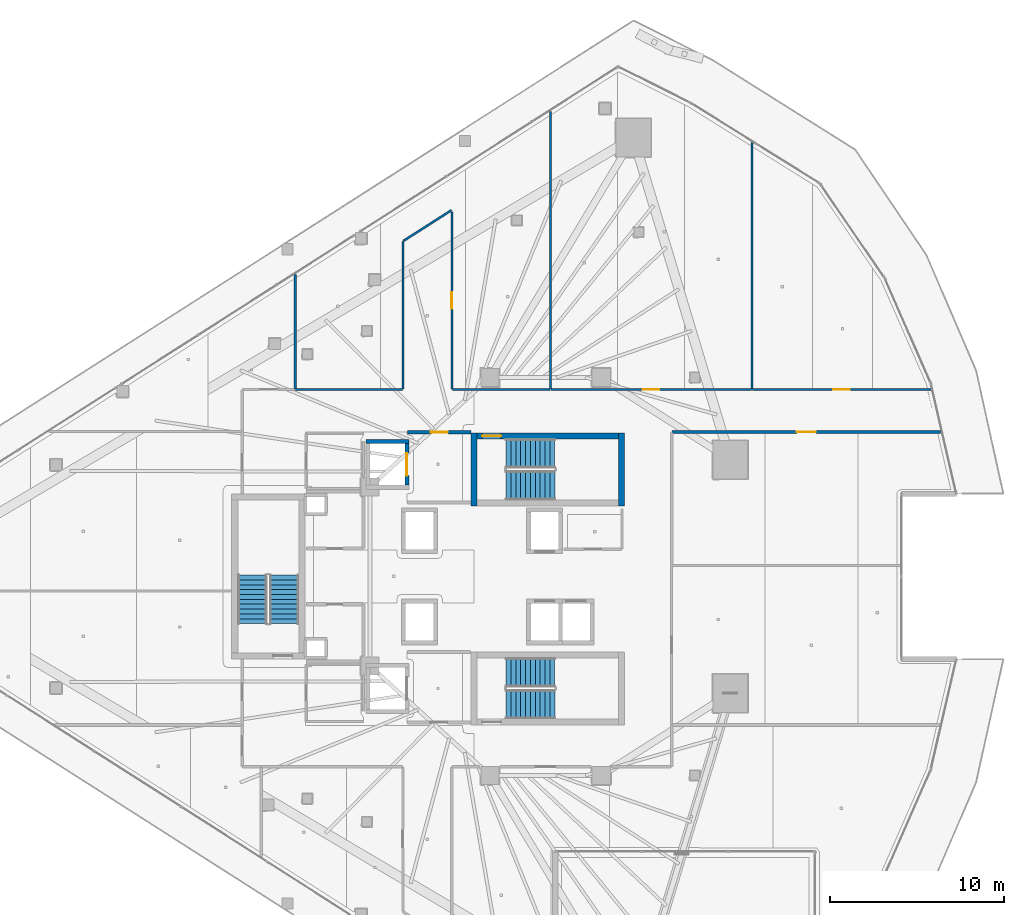
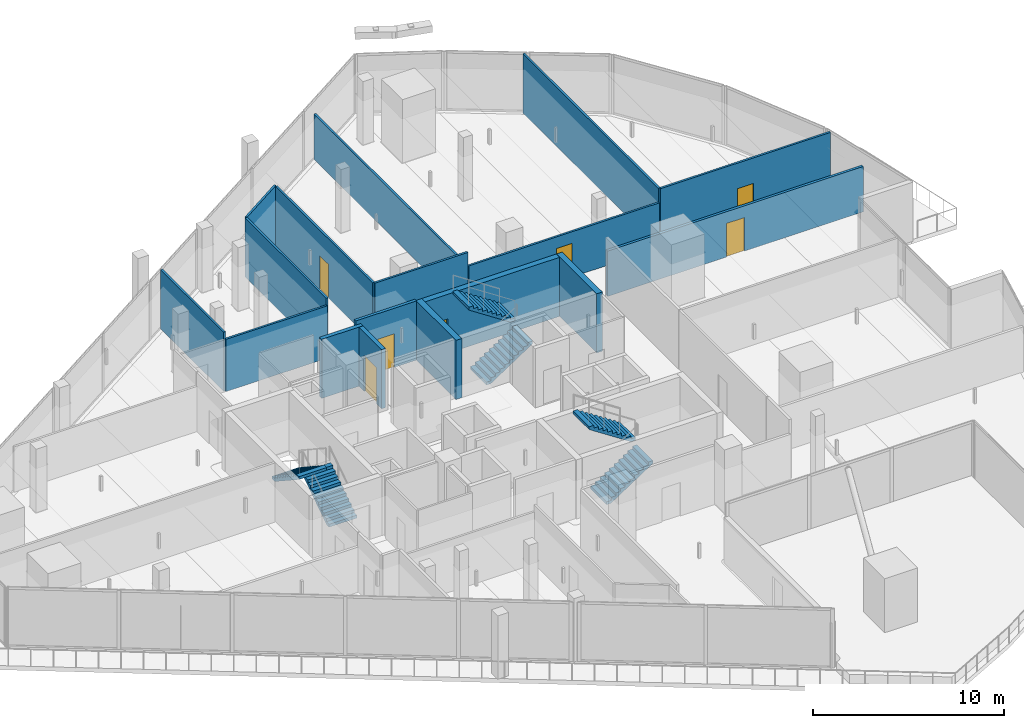
# One storey, part 28 of 38: 17 walls, 7 doors, 6 stair flights, 7 openings, 3 elements without a shape of their own.
"""IFC4 building model written with IfcOpenShell, lengths in metres."""

from ifc_helpers import new_model, si_unit, direction, frame, frame_2d, origin, place, context, subcontext, project, spatial, polyline, rectangle, outline, extrude, material, layer, layer_set, type_object, element, fill, aggregate, save


model = new_model("IFC4")

# Units and contexts
model_context = context("Model", 3, precision=1e-05, world=origin(), true_north=direction((0.0, 1.0)))
body_context = subcontext(model_context, "Body", "Model", "MODEL_VIEW")
ifc_project = project(units=[si_unit("LENGTHUNIT", "METRE"), si_unit("AREAUNIT", "SQUARE_METRE"), si_unit("VOLUMEUNIT", "CUBIC_METRE"), si_unit("PLANEANGLEUNIT", "RADIAN"), si_unit("MASSUNIT", "GRAM", prefix="KILO")], contexts=[model_context])

# Site, building, storey
site_placement = place(None, origin())
site = spatial("IfcSite", under=ifc_project, at=site_placement, CompositionType="ELEMENT")
building_placement = place(site_placement, origin())
building = spatial("IfcBuilding", under=site, at=building_placement, Name="Qorvath Tower", CompositionType="ELEMENT")
storey_placement = place(building_placement, frame((0.0, 0.0, 158.39990234375)))
storey = spatial("IfcBuildingStorey", under=building, at=storey_placement, Name="L36", CompositionType="ELEMENT", Elevation=158.39990234375)

# Wall, opening, door
ifc_material_1 = material(Name="Gypsum shaftliner on steel studs", Category="steel")
ifc_layer_1 = layer(ifc_material_1, 0.179931640625)
ifc_layer_set_1 = layer_set([ifc_layer_1], Name="FW-LOBBY")
wall_type_1 = type_object("IfcWallType", Name="FW-LOBBY", PredefinedType="PARTITIONING", material=ifc_layer_set_1)
wall_1_placement = place(storey_placement, frame((-24.68408203125, 8.300048828125, 0.0), z_axis=(0.0, 0.0, 1.0), x_axis=(-1.0, 0.0, 0.0)))
wall_1 = element("IfcWall", 1, at=wall_1_placement, inside=storey, type_object=wall_type_1, Name="Interior Partition IW-T1-L36-002", PredefinedType="PARTITIONING", context=body_context, shape_type="SweptSolid", body=[
    extrude(rectangle(XDim=3.6708984375, YDim=0.179931640625, at=frame_2d((1.83544921875, 0.0))), origin(), (0.0, 0.0, 1.0), 3.780029296875),
])
opening_1_placement = place(wall_1_placement, frame((1.33544921875, 0.0, 0.0)))
opening_1 = element("IfcOpeningElement", 2, at=opening_1_placement, cuts=wall_1, Name="Opening D-T1-L36-17", PredefinedType="OPENING", context=body_context, shape_type="SweptSolid", body=[
    extrude(rectangle(XDim=1.0, YDim=2.14990234375, at=frame_2d((0.5, 1.074951171875))), frame((0.0, 0.10009765625, 0.0), z_axis=(0.0, -1.0, 0.0), x_axis=(1.0, 0.0, 0.0)), (0.0, 0.0, 1.0), 0.199951171875),
])
ifc_material_2 = material(Name="Painted galvanised hollow metal", Category="steel")
door_type_1 = type_object("IfcDoorType", Name="FD-60", OperationType="NOTDEFINED", PredefinedType="DOOR", material=ifc_material_2)
door_1_placement = place(opening_1_placement, origin())
door_1 = element("IfcDoor", 3, at=door_1_placement, inside=storey, type_object=door_type_1, Name="Lobby Fire Service Elevator North Door D-T1-L36-17", OperationType="SINGLE_SWING_RIGHT", OverallHeight=2.14990234375, OverallWidth=1.0, PredefinedType="DOOR", context=body_context, shape_type="SweptSolid", body=[
    extrude(rectangle(XDim=1.0, YDim=2.14990234375, at=frame_2d((0.5, 1.074951171875))), frame((0.0, 0.02490234375, 0.0), z_axis=(0.0, -1.0, 0.0), x_axis=(1.0, 0.0, 0.0)), (0.0, 0.0, 1.0), 0.050048828125),
])
fill(opening_1, door_1)

ifc_material_3 = material(Name="Double acoustic gypsum board on steel studs", Category="steel")
ifc_layer_2 = layer(ifc_material_3, 0.159912109375)
ifc_layer_set_2 = layer_set([ifc_layer_2], Name="IW-ACOUSTIC-160")
wall_type_2 = type_object("IfcWallType", Name="IW-ACOUSTIC-160", PredefinedType="PARTITIONING", material=ifc_layer_set_2)
wall_2_placement = place(storey_placement, frame((2.341064453125, 8.31201171875, 0.0), z_axis=(0.0, 0.0, 1.0), x_axis=(-1.0, 0.0, 0.0)))
wall_2 = element("IfcWall", 4, at=wall_2_placement, inside=storey, type_object=wall_type_2, Name="Interior Partition IW-T1-L36-050", PredefinedType="PARTITIONING", context=body_context, shape_type="SweptSolid", body=[
    extrude(rectangle(XDim=15.458251953125, YDim=0.159912109375, at=frame_2d((7.72900390625, 0.0))), origin(), (0.0, 0.0, 1.0), 2.89501953125),
])
opening_2_placement = place(wall_2_placement, frame((7.17919921875, 0.0, 0.0)))
opening_2 = element("IfcOpeningElement", 5, at=opening_2_placement, cuts=wall_2, Name="Opening D-T1-L36-14", PredefinedType="OPENING", context=body_context, shape_type="SweptSolid", body=[
    extrude(rectangle(XDim=1.10009765625, YDim=2.14990234375, at=frame_2d((0.550048828125, 1.074951171875))), frame((0.0, 0.08984375, 0.0), z_axis=(0.0, -1.0, 0.0), x_axis=(1.0, 0.0, 0.0)), (0.0, 0.0, 1.0), 0.179931640625),
])
ifc_material_4 = material(Name="Anodised aluminium acoustic framed glass", Category="aluminium")
door_type_2 = type_object("IfcDoorType", Name="D-03", OperationType="NOTDEFINED", PredefinedType="DOOR", material=ifc_material_4)
door_2_placement = place(opening_2_placement, origin())
door_2 = element("IfcDoor", 6, at=door_2_placement, inside=storey, type_object=door_type_2, Name="L36-09 Enclosed Conference Suite Door D-T1-L36-14", OperationType="SINGLE_SWING_LEFT", OverallHeight=2.14990234375, OverallWidth=1.10009765625, PredefinedType="DOOR", context=body_context, shape_type="SweptSolid", body=[
    extrude(rectangle(XDim=1.10009765625, YDim=2.14990234375, at=frame_2d((0.550048828125, 1.074951171875))), frame((0.0, 0.02490234375, 0.0), z_axis=(0.0, -1.0, 0.0), x_axis=(1.0, 0.0, 0.0)), (0.0, 0.0, 1.0), 0.050048828125),
])
fill(opening_2, door_2)

# Walls
ifc_material_5 = material(Name="Gypsum board on metal studs with mineral wool", Category="gypsum")
ifc_layer_3 = layer(ifc_material_5, 0.125)
ifc_layer_set_3 = layer_set([ifc_layer_3], Name="IW-PART-125")
wall_type_3 = type_object("IfcWallType", Name="IW-PART-125", PredefinedType="PARTITIONING", material=ifc_layer_set_3)
wall_3_placement = place(storey_placement, frame((-34.809326171875, 10.783203125, 0.0), z_axis=(0.0, 0.0, 1.0), x_axis=(0.0, 1.0, 0.0)))
element("IfcWall", 7, at=wall_3_placement, inside=storey, type_object=wall_type_3, Name="Interior Partition IW-T1-L36-024", PredefinedType="PARTITIONING", context=body_context, shape_type="SweptSolid", body=[
    extrude(rectangle(XDim=6.591552734375, YDim=0.125, at=frame_2d((3.2958984375, 0.0))), origin(), (0.0, 0.0, 1.0), 3.780029296875),
])
wall_4_placement = place(storey_placement, frame((-34.7763671875, 10.758056640625, 0.0), z_axis=(0.0, 0.0, 1.0), x_axis=(1.0, 0.0, 0.0)))
element("IfcWall", 8, at=wall_4_placement, inside=storey, type_object=wall_type_3, Name="Interior Partition IW-T1-L36-025", PredefinedType="PARTITIONING", context=body_context, shape_type="SweptSolid", body=[
    extrude(rectangle(XDim=6.1435546875, YDim=0.125, at=frame_2d((3.07177734375, 0.0))), origin(), (0.0, 0.0, 1.0), 3.34375),
])
wall_5_placement = place(storey_placement, frame((-28.60791015625, 19.2666015625, 0.0), z_axis=(0.0, 0.0, 1.0), x_axis=(0.0, -1.0, 0.0)))
element("IfcWall", 9, at=wall_5_placement, inside=storey, type_object=wall_type_3, Name="Interior Partition IW-T1-L36-026", PredefinedType="PARTITIONING", context=body_context, shape_type="SweptSolid", body=[
    extrude(rectangle(XDim=8.4833984375, YDim=0.125, at=frame_2d((4.24169921875, 0.0))), origin(), (0.0, 0.0, 1.0), 3.780029296875),
])
wall_6_placement = place(storey_placement, frame((-25.81298828125, 21.077880859375, 0.0), z_axis=(0.0, 0.0, 1.0), x_axis=(-0.842597176941, -0.538544331891, 0.0)))
element("IfcWall", 10, at=wall_6_placement, inside=storey, type_object=wall_type_3, Name="Interior Partition IW-T1-L36-027", PredefinedType="PARTITIONING", context=body_context, shape_type="SweptSolid", body=[
    extrude(rectangle(XDim=3.2919921875, YDim=0.125, at=frame_2d((1.64599609375, 0.0))), origin(), (0.0, 0.0, 1.0), 3.780029296875),
])

# Wall, opening, door
wall_7_placement = place(storey_placement, frame((-25.7919921875, 10.783203125, 0.0), z_axis=(0.0, 0.0, 1.0), x_axis=(0.0, 1.0, 0.0)))
wall_7 = element("IfcWall", 11, at=wall_7_placement, inside=storey, type_object=wall_type_3, Name="Interior Partition IW-T1-L36-028", PredefinedType="PARTITIONING", context=body_context, shape_type="SweptSolid", body=[
    extrude(rectangle(XDim=10.18212890625, YDim=0.125, at=frame_2d((5.091064453125, 0.0))), origin(), (0.0, 0.0, 1.0), 3.780029296875),
])
opening_3_placement = place(wall_7_placement, frame((4.615966796875, 0.0, 0.0)))
opening_3 = element("IfcOpeningElement", 12, at=opening_3_placement, cuts=wall_7, Name="Opening D-T1-L36-07", PredefinedType="OPENING", context=body_context, shape_type="SweptSolid", body=[
    extrude(rectangle(XDim=0.949951171875, YDim=2.14990234375, at=frame_2d((0.47509765625, 1.074951171875))), frame((0.0, 0.072509765625, 0.0), z_axis=(0.0, -1.0, 0.0), x_axis=(1.0, 0.0, 0.0)), (0.0, 0.0, 1.0), 0.14501953125),
])
ifc_material_6 = material(Name="Solid-core American white oak veneer", Category="wood")
door_type_3 = type_object("IfcDoorType", Name="D-01", OperationType="NOTDEFINED", PredefinedType="DOOR", material=ifc_material_6)
door_3_placement = place(opening_3_placement, origin())
door_3 = element("IfcDoor", 13, at=door_3_placement, inside=storey, type_object=door_type_3, Name="L36-02 Design Pin-Up Atelier Door D-T1-L36-07", OperationType="SINGLE_SWING_RIGHT", OverallHeight=2.14990234375, OverallWidth=0.949951171875, PredefinedType="DOOR", context=body_context, shape_type="SweptSolid", body=[
    extrude(rectangle(XDim=0.949951171875, YDim=2.14990234375, at=frame_2d((0.47509765625, 1.074951171875))), frame((0.0, 0.02490234375, 0.0), z_axis=(0.0, -1.0, 0.0), x_axis=(1.0, 0.0, 0.0)), (0.0, 0.0, 1.0), 0.050048828125),
])
fill(opening_3, door_3)

# Walls
wall_8_placement = place(storey_placement, frame((-25.76708984375, 10.758056640625, 0.0), z_axis=(0.0, 0.0, 1.0), x_axis=(1.0, 0.0, 0.0)))
element("IfcWall", 14, at=wall_8_placement, inside=storey, type_object=wall_type_3, Name="Interior Partition IW-T1-L36-029", PredefinedType="PARTITIONING", context=body_context, shape_type="SweptSolid", body=[
    extrude(rectangle(XDim=5.623291015625, YDim=0.125, at=frame_2d((2.8115234375, 0.0))), origin(), (0.0, 0.0, 1.0), 3.780029296875),
])
wall_9_placement = place(storey_placement, frame((-20.11865234375, 10.783203125, 0.0), z_axis=(0.0, 0.0, 1.0), x_axis=(0.0, 1.0, 0.0)))
element("IfcWall", 15, at=wall_9_placement, inside=storey, type_object=wall_type_3, Name="Interior Partition IW-T1-L36-030", PredefinedType="PARTITIONING", context=body_context, shape_type="SweptSolid", body=[
    extrude(rectangle(XDim=15.98095703125, YDim=0.125, at=frame_2d((7.990478515625, 0.0))), origin(), (0.0, 0.0, 1.0), 2.89501953125),
])

# Wall, opening, door
wall_10_placement = place(storey_placement, frame((-20.085693359375, 10.758056640625, 0.0), z_axis=(0.0, 0.0, 1.0), x_axis=(1.0, 0.0, 0.0)))
wall_10 = element("IfcWall", 16, at=wall_10_placement, inside=storey, type_object=wall_type_3, Name="Interior Partition IW-T1-L36-031", PredefinedType="PARTITIONING", context=body_context, shape_type="SweptSolid", body=[
    extrude(rectangle(XDim=11.53369140625, YDim=0.125, at=frame_2d((5.766845703125, 0.0))), origin(), (0.0, 0.0, 1.0), 2.89501953125),
])
opening_4_placement = place(wall_10_placement, frame((5.291748046875, 0.0, 0.0)))
opening_4 = element("IfcOpeningElement", 17, at=opening_4_placement, cuts=wall_10, Name="Opening D-T1-L36-08", PredefinedType="OPENING", context=body_context, shape_type="SweptSolid", body=[
    extrude(rectangle(XDim=0.949951171875, YDim=2.14990234375, at=frame_2d((0.47509765625, 1.074951171875))), frame((0.0, 0.072509765625, 0.0), z_axis=(0.0, -1.0, 0.0), x_axis=(1.0, 0.0, 0.0)), (0.0, 0.0, 1.0), 0.14501953125),
])
door_4_placement = place(opening_4_placement, origin())
door_4 = element("IfcDoor", 18, at=door_4_placement, inside=storey, type_object=door_type_3, Name="L36-03 Executive Partner Office Door D-T1-L36-08", OperationType="SINGLE_SWING_LEFT", OverallHeight=2.14990234375, OverallWidth=0.949951171875, PredefinedType="DOOR", context=body_context, shape_type="SweptSolid", body=[
    extrude(rectangle(XDim=0.949951171875, YDim=2.14990234375, at=frame_2d((0.47509765625, 1.074951171875))), frame((0.0, 0.02490234375, 0.0), z_axis=(0.0, -1.0, 0.0), x_axis=(1.0, 0.0, 0.0)), (0.0, 0.0, 1.0), 0.050048828125),
])
fill(opening_4, door_4)

# Wall
wall_11_placement = place(storey_placement, frame((-8.52685546875, 10.783203125, 0.0), z_axis=(0.0, 0.0, 1.0), x_axis=(0.0, 1.0, 0.0)))
element("IfcWall", 19, at=wall_11_placement, inside=storey, type_object=wall_type_3, Name="Interior Partition IW-T1-L36-032", PredefinedType="PARTITIONING", context=body_context, shape_type="SweptSolid", body=[
    extrude(rectangle(XDim=14.189697265625, YDim=0.125, at=frame_2d((7.0947265625, 0.0))), origin(), (0.0, 0.0, 1.0), 3.780029296875),
])

# Wall, opening, door
wall_12_placement = place(storey_placement, frame((-8.493896484375, 10.758056640625, 0.0), z_axis=(0.0, 0.0, 1.0), x_axis=(1.0, 0.0, 0.0)))
wall_12 = element("IfcWall", 20, at=wall_12_placement, inside=storey, type_object=wall_type_3, Name="Interior Partition IW-T1-L36-033", PredefinedType="PARTITIONING", context=body_context, shape_type="SweptSolid", body=[
    extrude(rectangle(XDim=10.268310546875, YDim=0.125, at=frame_2d((5.13427734375, 0.0))), origin(), (0.0, 0.0, 1.0), 3.780029296875),
])
opening_5_placement = place(wall_12_placement, frame((4.6591796875, 0.0, 0.0)))
opening_5 = element("IfcOpeningElement", 21, at=opening_5_placement, cuts=wall_12, Name="Opening D-T1-L36-09", PredefinedType="OPENING", context=body_context, shape_type="SweptSolid", body=[
    extrude(rectangle(XDim=0.949951171875, YDim=2.14990234375, at=frame_2d((0.47509765625, 1.074951171875))), frame((0.0, 0.072509765625, 0.0), z_axis=(0.0, -1.0, 0.0), x_axis=(1.0, 0.0, 0.0)), (0.0, 0.0, 1.0), 0.14501953125),
])
door_5_placement = place(opening_5_placement, origin())
door_5 = element("IfcDoor", 22, at=door_5_placement, inside=storey, type_object=door_type_3, Name="L36-04 Breakout Reading Alcove Door D-T1-L36-09", OperationType="SINGLE_SWING_RIGHT", OverallHeight=2.14990234375, OverallWidth=0.949951171875, PredefinedType="DOOR", context=body_context, shape_type="SweptSolid", body=[
    extrude(rectangle(XDim=0.949951171875, YDim=2.14990234375, at=frame_2d((0.47509765625, 1.074951171875))), frame((0.0, 0.02490234375, 0.0), z_axis=(0.0, -1.0, 0.0), x_axis=(1.0, 0.0, 0.0)), (0.0, 0.0, 1.0), 0.050048828125),
])
fill(opening_5, door_5)

# Wall
ifc_material_7 = material(Name="Concrete C60/75", Category="concrete")
ifc_layer_4 = layer(ifc_material_7, 0.260009765625)
ifc_layer_set_4 = layer_set([ifc_layer_4], Name="SW-SHAFT")
wall_type_4 = type_object("IfcWallType", Name="SW-SHAFT", PredefinedType="SHEAR", material=ifc_layer_set_4)
wall_13_placement = place(storey_placement, frame((-30.739990234375, 7.77001953125, 0.0), z_axis=(0.0, 0.0, 1.0), x_axis=(1.0, 0.0, 0.0)))
element("IfcWall", 23, at=wall_13_placement, inside=storey, type_object=wall_type_4, Name="Hoistway Wall FSAE-1 L36 N", PredefinedType="SHEAR", context=body_context, shape_type="SweptSolid", body=[
    extrude(rectangle(XDim=2.47998046875, YDim=0.239990234375, at=frame_2d((1.239990234375, 0.0))), origin(), (0.0, 0.0, 1.0), 3.780029296875),
])

# Wall, opening, door
wall_14_placement = place(storey_placement, frame((-28.3798828125, 7.637939453125, 0.0), z_axis=(0.0, 0.0, 1.0), x_axis=(0.0, -1.0, 0.0)))
wall_14 = element("IfcWall", 24, at=wall_14_placement, inside=storey, type_object=wall_type_4, Name="Hoistway Wall FSAE-1 L36 E", PredefinedType="SHEAR", context=body_context, shape_type="SweptSolid", body=[
    extrude(rectangle(XDim=2.3759765625, YDim=0.239990234375, at=frame_2d((1.18798828125, 0.0))), origin(), (0.0, 0.0, 1.0), 3.780029296875),
])
opening_6_placement = place(wall_14_placement, frame((0.537841796875, 0.0, 0.0)))
opening_6 = element("IfcOpeningElement", 25, at=opening_6_placement, cuts=wall_14, Name="Opening LD-FSAE-1-L36", PredefinedType="OPENING", context=body_context, shape_type="SweptSolid", body=[
    extrude(rectangle(XDim=1.300048828125, YDim=2.300048828125, at=frame_2d((0.64990234375, 1.14990234375))), frame((0.0, 0.1298828125, 0.0), z_axis=(0.0, -1.0, 0.0), x_axis=(1.0, 0.0, 0.0)), (0.0, 0.0, 1.0), 0.260009765625),
])
ifc_material_8 = material(Name="Brushed stainless steel AISI 316", Category="steel")
door_type_4 = type_object("IfcDoorType", Name="LD-02", OperationType="NOTDEFINED", PredefinedType="DOOR", material=ifc_material_8)
door_6_placement = place(opening_6_placement, origin())
door_6 = element("IfcDoor", 26, at=door_6_placement, inside=storey, type_object=door_type_4, Name="Elevator Landing Sliding Door LD-FSAE-1-L36", OperationType="DOUBLE_DOOR_SLIDING", OverallHeight=2.300048828125, OverallWidth=1.300048828125, PredefinedType="DOOR", context=body_context, shape_type="SweptSolid", body=[
    extrude(rectangle(XDim=1.300048828125, YDim=2.300048828125, at=frame_2d((0.64990234375, 1.14990234375))), frame((0.0, 0.02490234375, 0.0), z_axis=(0.0, -1.0, 0.0), x_axis=(1.0, 0.0, 0.0)), (0.0, 0.0, 1.0), 0.050048828125),
])
fill(opening_6, door_6)

# Walls
ifc_material_9 = material(Name="Concrete C60/75", Category="concrete")
ifc_layer_5 = layer(ifc_material_9, 0.35009765625)
ifc_layer_set_5 = layer_set([ifc_layer_5], Name="SW-STAIR")
wall_type_5 = type_object("IfcWallType", Name="SW-STAIR", PredefinedType="SHEAR", material=ifc_layer_set_5)
for number, where, z_axis, x_axis, name in (
    (27, (-24.52490234375, 8.260009765625, 0.0), (0.0, 0.0, 1.0), (0.0, -1.0, 0.0), "Stair TS1 Shear Wall L36 NEAR"),
    (28, (-16.02490234375, 4.050048828125, 0.0), (0.0, 0.0, 1.0), (0.0, 1.0, 0.0), "Stair TS1 Shear Wall L36 FAR"),
):
    element("IfcWall", number, at=place(storey_placement, frame(where, z_axis=z_axis, x_axis=x_axis)), inside=storey, type_object=wall_type_5, Name=name, PredefinedType="SHEAR", context=body_context, shape_type="SweptSolid", body=[
        extrude(rectangle(XDim=4.2099609375, YDim=0.35009765625, at=frame_2d((2.10498046875, 0.0))), origin(), (0.0, 0.0, 1.0), 3.780029296875),
    ])

# Wall, opening, door
wall_15_placement = place(storey_placement, frame((-16.215087890625, 8.0849609375, 0.0), z_axis=(0.0, 0.0, 1.0), x_axis=(-1.0, 0.0, 0.0)))
wall_15 = element("IfcWall", 29, at=wall_15_placement, inside=storey, type_object=wall_type_5, Name="Stair TS1 Shear Wall L36 RIGHT", PredefinedType="SHEAR", context=body_context, shape_type="SweptSolid", body=[
    extrude(rectangle(XDim=8.119873046875, YDim=0.35009765625, at=frame_2d((4.06005859375, 0.0))), origin(), (0.0, 0.0, 1.0), 3.780029296875),
])
opening_7_placement = place(wall_15_placement, frame((6.739990234375, 0.0, 0.0)))
opening_7 = element("IfcOpeningElement", 30, at=opening_7_placement, cuts=wall_15, Name="Opening D-TS1-L36", PredefinedType="OPENING", context=body_context, shape_type="SweptSolid", body=[
    extrude(rectangle(XDim=1.10009765625, YDim=2.199951171875, at=frame_2d((0.550048828125, 1.10009765625))), frame((0.0, 0.18505859375, 0.0), z_axis=(0.0, -1.0, 0.0), x_axis=(1.0, 0.0, 0.0)), (0.0, 0.0, 1.0), 0.3701171875),
])
ifc_material_10 = material(Name="Painted galvanised hollow metal", Category="steel")
door_type_5 = type_object("IfcDoorType", Name="FD-90", OperationType="NOTDEFINED", PredefinedType="DOOR", material=ifc_material_10)
door_7_placement = place(opening_7_placement, origin())
door_7 = element("IfcDoor", 31, at=door_7_placement, inside=storey, type_object=door_type_5, Name="Stair TS1 Fire Door L36", OperationType="SINGLE_SWING_LEFT", OverallHeight=2.199951171875, OverallWidth=1.10009765625, PredefinedType="DOOR", context=body_context, shape_type="SweptSolid", body=[
    extrude(rectangle(XDim=1.10009765625, YDim=2.199951171875, at=frame_2d((0.550048828125, 1.10009765625))), frame((0.0, 0.02490234375, 0.0), z_axis=(0.0, -1.0, 0.0), x_axis=(1.0, 0.0, 0.0)), (0.0, 0.0, 1.0), 0.050048828125),
])
fill(opening_7, door_7)

# Stair, stair flights
ifc_material_11 = material(Name="Concrete C50/60", Category="concrete")
stair_type = type_object("IfcStairType", Name="ST-H405", PredefinedType="HALF_TURN_STAIR", material=ifc_material_11)
stair_1_placement = place(storey_placement, origin())
stair_1 = element("IfcStair", 32, at=stair_1_placement, inside=storey, type_object=stair_type, Name="L36 Tower Exit Stair 1", PredefinedType="HALF_TURN_STAIR")
ifc_material_12 = material(Name="Concrete C50/60", Category="concrete")
ifc_layer_6 = layer(ifc_material_12, 0.14990234375)
ifc_layer_set_6 = layer_set([ifc_layer_6], Name="SF-H405")
stair_flight_type = type_object("IfcStairFlightType", Name="SF-H405", PredefinedType="STRAIGHT", material=ifc_layer_set_6)
stair_flight_1_placement = place(storey_placement, frame((-22.669921875, 5.239990234375, 0.0), z_axis=(0.0, 0.0, 1.0), x_axis=(1.0, 0.0, 0.0)))
stair_flight_1 = element("IfcStairFlight", 33, at=stair_flight_1_placement, type_object=stair_flight_type, Name="TS1 flight 1", NumberOfRisers=11, NumberOfTreads=10, PredefinedType="STRAIGHT", RiserHeight=0.184090909, TreadLength=0.28, context=body_context, shape_type="SweptSolid", body=[
    extrude(outline(polyline([(0.0, 0.0), (0.0, 0.18408203125), (0.280029296875, 0.18408203125), (0.280029296875, 0.3681640625), (0.56005859375, 0.3681640625), (0.56005859375, 0.55224609375), (0.840087890625, 0.55224609375), (0.840087890625, 0.736328125), (1.1201171875, 0.736328125), (1.1201171875, 0.92041015625), (1.39990234375, 0.92041015625), (1.39990234375, 1.1044921875), (1.679931640625, 1.1044921875), (1.679931640625, 1.28857421875), (1.9599609375, 1.28857421875), (1.9599609375, 1.47265625), (2.239990234375, 1.47265625), (2.239990234375, 1.65673828125), (2.52001953125, 1.65673828125), (2.52001953125, 1.8408203125), (2.800048828125, 1.8408203125), (2.800048828125, 2.02490234375), (2.800048828125, 1.66162109375), (0.27294921875, 0.0), (0.0, 0.0)])), frame((0.0, 0.83984375, 0.0), z_axis=(0.0, -1.0, 0.0), x_axis=(1.0, 0.0, 0.0)), (0.0, 0.0, 1.0), 1.679931640625),
])
stair_flight_2_placement = place(storey_placement, frame((-19.8701171875, 7.070068359375, 2.025146484375), z_axis=(0.0, 0.0, 1.0), x_axis=(-1.0, 0.0, 0.0)))
stair_flight_2 = element("IfcStairFlight", 34, at=stair_flight_2_placement, type_object=stair_flight_type, Name="TS1 flight 2", NumberOfRisers=11, NumberOfTreads=10, PredefinedType="STRAIGHT", RiserHeight=0.184090909, TreadLength=0.28, context=body_context, shape_type="SweptSolid", body=[
    extrude(outline(polyline([(0.0, 0.0), (0.0, 0.18408203125), (0.280029296875, 0.18408203125), (0.280029296875, 0.3681640625), (0.56005859375, 0.3681640625), (0.56005859375, 0.55224609375), (0.840087890625, 0.55224609375), (0.840087890625, 0.736328125), (1.1201171875, 0.736328125), (1.1201171875, 0.92041015625), (1.39990234375, 0.92041015625), (1.39990234375, 1.1044921875), (1.679931640625, 1.1044921875), (1.679931640625, 1.28857421875), (1.9599609375, 1.28857421875), (1.9599609375, 1.47265625), (2.239990234375, 1.47265625), (2.239990234375, 1.65673828125), (2.52001953125, 1.65673828125), (2.52001953125, 1.8408203125), (2.800048828125, 1.8408203125), (2.800048828125, 2.02490234375), (2.800048828125, 1.66162109375), (0.27294921875, 0.0), (0.0, 0.0)])), frame((0.0, 0.83984375, 0.0), z_axis=(0.0, -1.0, 0.0), x_axis=(1.0, 0.0, 0.0)), (0.0, 0.0, 1.0), 1.679931640625),
])
aggregate(stair_1, [stair_flight_1, stair_flight_2])

stair_2_placement = place(storey_placement, origin())
stair_2 = element("IfcStair", 35, at=stair_2_placement, inside=storey, type_object=stair_type, Name="L36 Tower Exit Stair 2", PredefinedType="HALF_TURN_STAIR")
stair_flight_3_placement = place(storey_placement, frame((-22.669921875, -7.360107421875, 0.0), z_axis=(0.0, 0.0, 1.0), x_axis=(1.0, 0.0, 0.0)))
stair_flight_3 = element("IfcStairFlight", 36, at=stair_flight_3_placement, type_object=stair_flight_type, Name="TS2 flight 1", NumberOfRisers=11, NumberOfTreads=10, PredefinedType="STRAIGHT", RiserHeight=0.184090909, TreadLength=0.28, context=body_context, shape_type="SweptSolid", body=[
    extrude(outline(polyline([(0.0, 0.0), (0.0, 0.18408203125), (0.280029296875, 0.18408203125), (0.280029296875, 0.3681640625), (0.56005859375, 0.3681640625), (0.56005859375, 0.55224609375), (0.840087890625, 0.55224609375), (0.840087890625, 0.736328125), (1.1201171875, 0.736328125), (1.1201171875, 0.92041015625), (1.39990234375, 0.92041015625), (1.39990234375, 1.1044921875), (1.679931640625, 1.1044921875), (1.679931640625, 1.28857421875), (1.9599609375, 1.28857421875), (1.9599609375, 1.47265625), (2.239990234375, 1.47265625), (2.239990234375, 1.65673828125), (2.52001953125, 1.65673828125), (2.52001953125, 1.8408203125), (2.800048828125, 1.8408203125), (2.800048828125, 2.02490234375), (2.800048828125, 1.66162109375), (0.27294921875, 0.0), (0.0, 0.0)])), frame((0.0, 0.83984375, 0.0), z_axis=(0.0, -1.0, 0.0), x_axis=(1.0, 0.0, 0.0)), (0.0, 0.0, 1.0), 1.679931640625),
])
stair_flight_4_placement = place(storey_placement, frame((-19.8701171875, -5.530029296875, 2.025146484375), z_axis=(0.0, 0.0, 1.0), x_axis=(-1.0, 0.0, 0.0)))
stair_flight_4 = element("IfcStairFlight", 37, at=stair_flight_4_placement, type_object=stair_flight_type, Name="TS2 flight 2", NumberOfRisers=11, NumberOfTreads=10, PredefinedType="STRAIGHT", RiserHeight=0.184090909, TreadLength=0.28, context=body_context, shape_type="SweptSolid", body=[
    extrude(outline(polyline([(0.0, 0.0), (0.0, 0.18408203125), (0.280029296875, 0.18408203125), (0.280029296875, 0.3681640625), (0.56005859375, 0.3681640625), (0.56005859375, 0.55224609375), (0.840087890625, 0.55224609375), (0.840087890625, 0.736328125), (1.1201171875, 0.736328125), (1.1201171875, 0.92041015625), (1.39990234375, 0.92041015625), (1.39990234375, 1.1044921875), (1.679931640625, 1.1044921875), (1.679931640625, 1.28857421875), (1.9599609375, 1.28857421875), (1.9599609375, 1.47265625), (2.239990234375, 1.47265625), (2.239990234375, 1.65673828125), (2.52001953125, 1.65673828125), (2.52001953125, 1.8408203125), (2.800048828125, 1.8408203125), (2.800048828125, 2.02490234375), (2.800048828125, 1.66162109375), (0.27294921875, 0.0), (0.0, 0.0)])), frame((0.0, 0.83984375, 0.0), z_axis=(0.0, -1.0, 0.0), x_axis=(1.0, 0.0, 0.0)), (0.0, 0.0, 1.0), 1.679931640625),
])
aggregate(stair_2, [stair_flight_3, stair_flight_4])

stair_3_placement = place(storey_placement, origin())
stair_3 = element("IfcStair", 38, at=stair_3_placement, inside=storey, type_object=stair_type, Name="L36 Tower Exit Stair 3", PredefinedType="HALF_TURN_STAIR")
stair_flight_5_placement = place(storey_placement, frame((-35.43994140625, -2.719970703125, 0.0), z_axis=(0.0, 0.0, 1.0), x_axis=(0.0, 1.0, 0.0)))
stair_flight_5 = element("IfcStairFlight", 39, at=stair_flight_5_placement, type_object=stair_flight_type, Name="TS3 flight 1", NumberOfRisers=11, NumberOfTreads=10, PredefinedType="STRAIGHT", RiserHeight=0.184090909, TreadLength=0.28, context=body_context, shape_type="SweptSolid", body=[
    extrude(outline(polyline([(0.0, 0.0), (0.0, 0.18408203125), (0.280029296875, 0.18408203125), (0.280029296875, 0.3681640625), (0.56005859375, 0.3681640625), (0.56005859375, 0.55224609375), (0.840087890625, 0.55224609375), (0.840087890625, 0.736328125), (1.1201171875, 0.736328125), (1.1201171875, 0.92041015625), (1.39990234375, 0.92041015625), (1.39990234375, 1.1044921875), (1.679931640625, 1.1044921875), (1.679931640625, 1.28857421875), (1.9599609375, 1.28857421875), (1.9599609375, 1.47265625), (2.239990234375, 1.47265625), (2.239990234375, 1.65673828125), (2.52001953125, 1.65673828125), (2.52001953125, 1.8408203125), (2.800048828125, 1.8408203125), (2.800048828125, 2.02490234375), (2.800048828125, 1.66162109375), (0.27294921875, 0.0), (0.0, 0.0)])), frame((0.0, 0.83984375, 0.0), z_axis=(0.0, -1.0, 0.0), x_axis=(1.0, 0.0, 0.0)), (0.0, 0.0, 1.0), 1.679931640625),
])
stair_flight_6_placement = place(storey_placement, frame((-37.27001953125, 0.080078125, 2.025146484375), z_axis=(0.0, 0.0, 1.0), x_axis=(0.0, -1.0, 0.0)))
stair_flight_6 = element("IfcStairFlight", 40, at=stair_flight_6_placement, type_object=stair_flight_type, Name="TS3 flight 2", NumberOfRisers=11, NumberOfTreads=10, PredefinedType="STRAIGHT", RiserHeight=0.184090909, TreadLength=0.28, context=body_context, shape_type="SweptSolid", body=[
    extrude(outline(polyline([(0.0, 0.0), (0.0, 0.18408203125), (0.280029296875, 0.18408203125), (0.280029296875, 0.3681640625), (0.56005859375, 0.3681640625), (0.56005859375, 0.55224609375), (0.840087890625, 0.55224609375), (0.840087890625, 0.736328125), (1.1201171875, 0.736328125), (1.1201171875, 0.92041015625), (1.39990234375, 0.92041015625), (1.39990234375, 1.1044921875), (1.679931640625, 1.1044921875), (1.679931640625, 1.28857421875), (1.9599609375, 1.28857421875), (1.9599609375, 1.47265625), (2.239990234375, 1.47265625), (2.239990234375, 1.65673828125), (2.52001953125, 1.65673828125), (2.52001953125, 1.8408203125), (2.800048828125, 1.8408203125), (2.800048828125, 2.02490234375), (2.800048828125, 1.66162109375), (0.27294921875, 0.0), (0.0, 0.0)])), frame((0.0, 0.83984375, 0.0), z_axis=(0.0, -1.0, 0.0), x_axis=(1.0, 0.0, 0.0)), (0.0, 0.0, 1.0), 1.679931640625),
])
aggregate(stair_3, [stair_flight_5, stair_flight_6])

save(model, "model.ifc")
